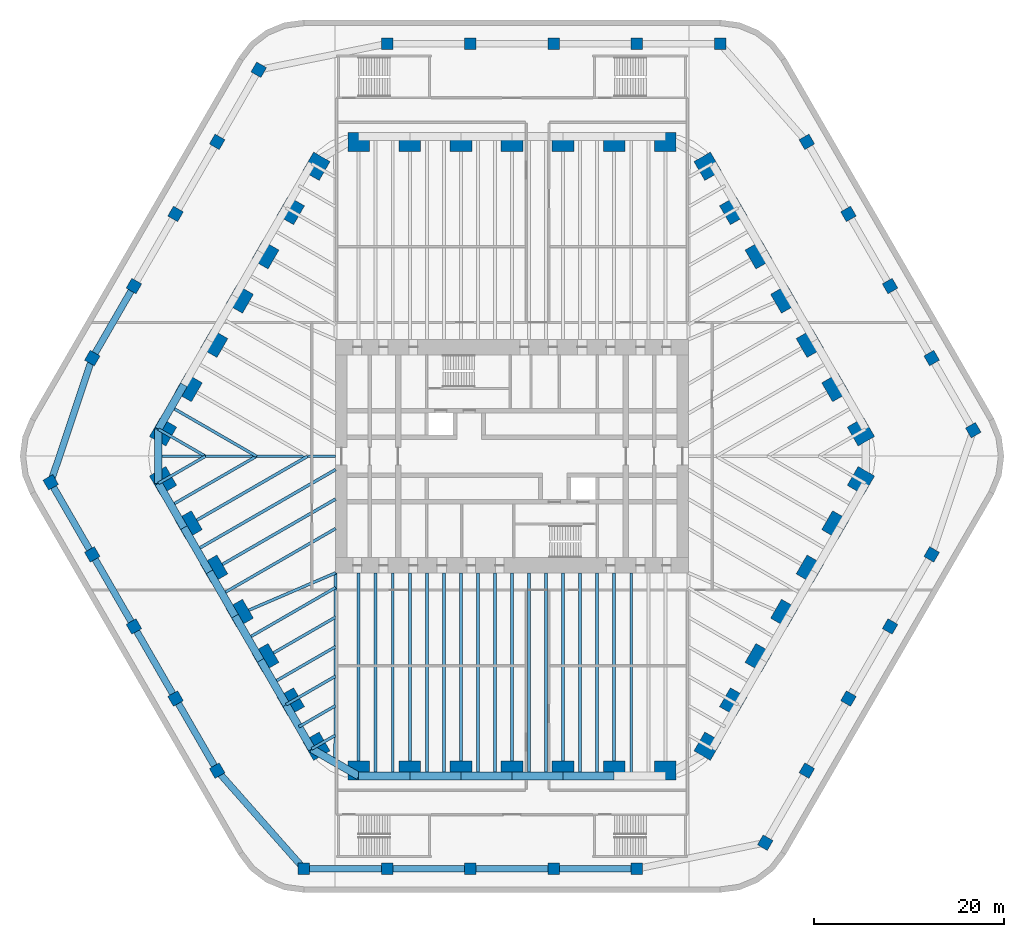
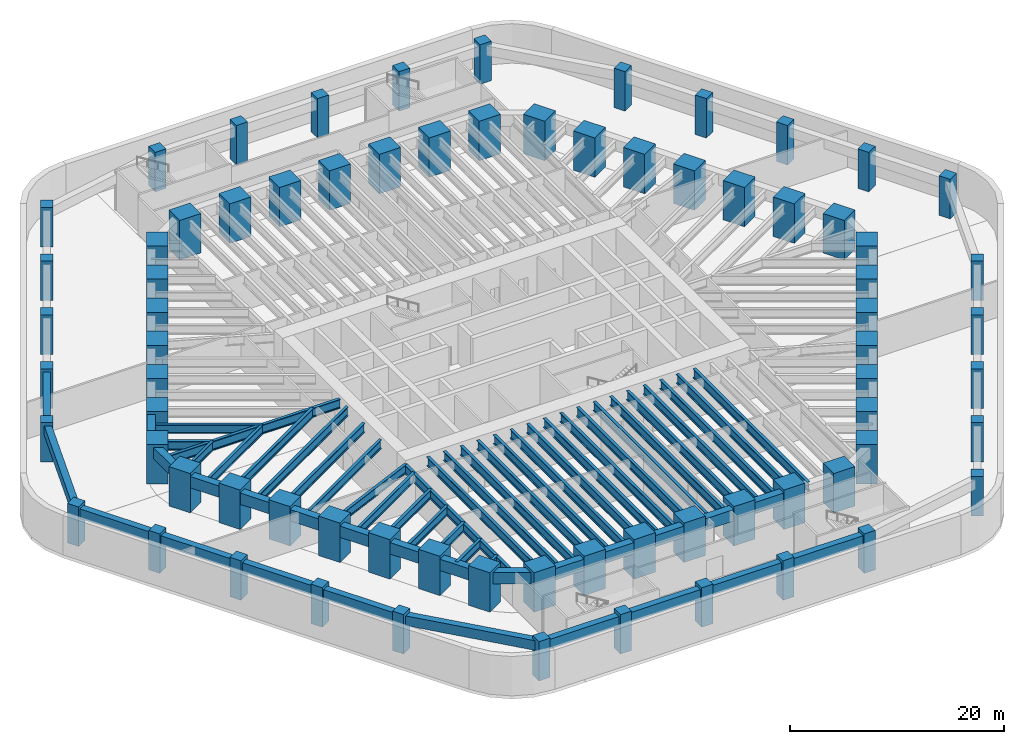
# One storey, part 1 of 12: 72 columns, 59 beams.
"""IFC4 building model written with IfcOpenShell, lengths in metres."""

from ifc_helpers import new_model, si_unit, direction, frame, origin, origin_2d, place, context, subcontext, project, spatial, rectangle, i_section, extrude, material, material_profile, profile_set, type_object, element, save


model = new_model("IFC4")

# Units and contexts
model_context = context("Model", 3, precision=1e-05, world=origin(), true_north=direction((0.0, 1.0)))
body_context = subcontext(model_context, "Body", "Model", "MODEL_VIEW")
ifc_project = project(units=[si_unit("LENGTHUNIT", "METRE"), si_unit("AREAUNIT", "SQUARE_METRE"), si_unit("VOLUMEUNIT", "CUBIC_METRE"), si_unit("PLANEANGLEUNIT", "RADIAN"), si_unit("MASSUNIT", "GRAM", prefix="KILO")], contexts=[model_context])

# Site, building, storey
site_placement = place(None, origin())
site = spatial("IfcSite", under=ifc_project, at=site_placement, CompositionType="ELEMENT")
building_placement = place(site_placement, origin())
building = spatial("IfcBuilding", under=site, at=building_placement, Name="Tarfa Lantern Tower", CompositionType="ELEMENT")
storey_placement = place(building_placement, frame((0.0, 0.0, -4.5)))
storey = spatial("IfcBuildingStorey", under=building, at=storey_placement, Name="B1", CompositionType="ELEMENT", Elevation=-4.5)

# Columns
ifc_material_1 = material(Name="Concrete C80/95", Category="concrete")
ifc_material_profile_1 = material_profile(ifc_material_1, rectangle(XDim=1.199951171875, YDim=1.199951171875, at=origin_2d()), Name="RC 1200x1200")
ifc_profile_set_1 = profile_set([ifc_material_profile_1], Name="Concrete C80/95")
column_type_1 = type_object("IfcColumnType", Name="PC1 RC 1200x1200", PredefinedType="COLUMN", material=ifc_profile_set_1)
for number, where, z_axis, x_axis, name in (
    (1, (48.641845703125, 2.75, 0.0), (0.0, 0.0, 1.0), (-0.5, 0.866025403784, 0.0), "Podium column NE0"),
    (2, (44.25390625, 10.35009765625, 0.0), (0.0, 0.0, 1.0), (-0.5, 0.866025403784, 0.0), "Podium column NE1"),
    (3, (39.865966796875, 17.949951171875, 0.0), (0.0, 0.0, 1.0), (-0.5, 0.866025403784, 0.0), "Podium column NE2"),
    (4, (35.478271484375, 25.550048828125, 0.0), (0.0, 0.0, 1.0), (-0.5, 0.866025403784, 0.0), "Podium column NE3"),
    (5, (31.09033203125, 33.14990234375, 0.0), (0.0, 0.0, 1.0), (-0.5, 0.866025403784, 0.0), "Podium column NE4"),
    (6, (21.939208984375, 43.5, 0.0), (0.0, 0.0, 1.0), (-1.0, 0.0, 0.0), "Podium column N0"),
    (7, (13.16357421875, 43.5, 0.0), (0.0, 0.0, 1.0), (-1.0, 0.0, 0.0), "Podium column N1"),
    (8, (4.387939453125, 43.5, 0.0), (0.0, 0.0, 1.0), (-1.0, 0.0, 0.0), "Podium column N2"),
    (9, (-4.387939453125, 43.5, 0.0), (0.0, 0.0, 1.0), (-1.0, 0.0, 0.0), "Podium column N3"),
    (10, (-13.16357421875, 43.5, 0.0), (0.0, 0.0, 1.0), (-1.0, 0.0, 0.0), "Podium column N4"),
    (11, (-26.702392578125, 40.75, 0.0), (0.0, 0.0, 1.0), (-0.5, -0.866025403784, 0.0), "Podium column NW0"),
    (12, (-31.09033203125, 33.14990234375, 0.0), (0.0, 0.0, 1.0), (-0.5, -0.866025403784, 0.0), "Podium column NW1"),
    (13, (-35.478271484375, 25.550048828125, 0.0), (0.0, 0.0, 1.0), (-0.5, -0.866025403784, 0.0), "Podium column NW2"),
    (14, (-39.865966796875, 17.949951171875, 0.0), (0.0, 0.0, 1.0), (-0.5, -0.866025403784, 0.0), "Podium column NW3"),
    (15, (-44.25390625, 10.35009765625, 0.0), (0.0, 0.0, 1.0), (-0.5, -0.866025403784, 0.0), "Podium column NW4"),
    (16, (-48.641845703125, -2.75, 0.0), (0.0, 0.0, 1.0), (0.5, -0.866025403784, 0.0), "Podium column SW0"),
    (17, (-44.25390625, -10.35009765625, 0.0), (0.0, 0.0, 1.0), (0.5, -0.866025403784, 0.0), "Podium column SW1"),
    (18, (-39.865966796875, -17.949951171875, 0.0), (0.0, 0.0, 1.0), (0.5, -0.866025403784, 0.0), "Podium column SW2"),
    (19, (-35.478271484375, -25.550048828125, 0.0), (0.0, 0.0, 1.0), (0.5, -0.866025403784, 0.0), "Podium column SW3"),
    (20, (-31.09033203125, -33.14990234375, 0.0), (0.0, 0.0, 1.0), (0.5, -0.866025403784, 0.0), "Podium column SW4"),
    (21, (-21.939208984375, -43.5, 0.0), (0.0, 0.0, 1.0), (1.0, 0.0, 0.0), "Podium column S0"),
    (22, (-13.16357421875, -43.5, 0.0), (0.0, 0.0, 1.0), (1.0, 0.0, 0.0), "Podium column S1"),
    (23, (-4.387939453125, -43.5, 0.0), (0.0, 0.0, 1.0), (1.0, 0.0, 0.0), "Podium column S2"),
    (24, (4.387939453125, -43.5, 0.0), (0.0, 0.0, 1.0), (1.0, 0.0, 0.0), "Podium column S3"),
    (25, (13.16357421875, -43.5, 0.0), (0.0, 0.0, 1.0), (1.0, 0.0, 0.0), "Podium column S4"),
    (26, (26.702392578125, -40.75, 0.0), (0.0, 0.0, 1.0), (0.5, 0.866025403784, 0.0), "Podium column SE0"),
    (27, (31.09033203125, -33.14990234375, 0.0), (0.0, 0.0, 1.0), (0.5, 0.866025403784, 0.0), "Podium column SE1"),
    (28, (35.478271484375, -25.550048828125, 0.0), (0.0, 0.0, 1.0), (0.5, 0.866025403784, 0.0), "Podium column SE2"),
    (29, (39.865966796875, -17.949951171875, 0.0), (0.0, 0.0, 1.0), (0.5, 0.866025403784, 0.0), "Podium column SE3"),
    (30, (44.25390625, -10.35009765625, 0.0), (0.0, 0.0, 1.0), (0.5, 0.866025403784, 0.0), "Podium column SE4"),
):
    element("IfcColumn", number, at=place(storey_placement, frame(where, z_axis=z_axis, x_axis=x_axis)), inside=storey, type_object=column_type_1, Name=name, PredefinedType="COLUMN", context=body_context, shape_type="SweptSolid", body=[
        extrude(rectangle(XDim=1.199951171875, YDim=1.199951171875, at=origin_2d()), origin(), (0.0, 0.0, 1.0), 4.5),
    ])
ifc_material_profile_2 = material_profile(ifc_material_1, rectangle(XDim=2.300048828125, YDim=2.0, at=origin_2d()), Name="RC 2300x2000")
ifc_profile_set_2 = profile_set([ifc_material_profile_2], Name="Concrete C80/95")
column_type_2 = type_object("IfcColumnType", Name="TC1 RC 2300x2000", PredefinedType="COLUMN", material=ifc_profile_set_2)
for number, where, z_axis, x_axis, name in (
    (31, (36.791748046875, 2.574951171875, 0.0), (0.0, 0.0, 1.0), (-0.5, 0.866025403784, 0.0), "Tube column NE0"),
    (32, (34.097412109375, 7.24169921875, 0.0), (0.0, 0.0, 1.0), (-0.5, 0.866025403784, 0.0), "Tube column NE1"),
    (33, (31.403076171875, 11.908447265625, 0.0), (0.0, 0.0, 1.0), (-0.5, 0.866025403784, 0.0), "Tube column NE2"),
    (34, (28.708740234375, 16.574951171875, 0.0), (0.0, 0.0, 1.0), (-0.5, 0.866025403784, 0.0), "Tube column NE3"),
    (35, (26.014404296875, 21.24169921875, 0.0), (0.0, 0.0, 1.0), (-0.5, 0.866025403784, 0.0), "Tube column NE4"),
    (36, (23.320068359375, 25.908447265625, 0.0), (0.0, 0.0, 1.0), (-0.5, 0.866025403784, 0.0), "Tube column NE5"),
    (37, (20.625732421875, 30.574951171875, 0.0), (0.0, 0.0, 1.0), (-0.5, 0.866025403784, 0.0), "Tube column NE6"),
    (38, (16.165771484375, 33.14990234375, 0.0), (0.0, 0.0, 1.0), (-1.0, 0.0, 0.0), "Tube column N0"),
    (39, (10.777099609375, 33.14990234375, 0.0), (0.0, 0.0, 1.0), (-1.0, 0.0, 0.0), "Tube column N1"),
    (40, (5.388671875, 33.14990234375, 0.0), (0.0, 0.0, 1.0), (-1.0, 0.0, 0.0), "Tube column N2"),
    (41, (0.0, 33.14990234375, 0.0), (0.0, 0.0, 1.0), (-1.0, 0.0, 0.0), "Tube column N3"),
    (42, (-5.388671875, 33.14990234375, 0.0), (0.0, 0.0, 1.0), (-1.0, 0.0, 0.0), "Tube column N4"),
    (43, (-10.777099609375, 33.14990234375, 0.0), (0.0, 0.0, 1.0), (-1.0, 0.0, 0.0), "Tube column N5"),
    (44, (-16.165771484375, 33.14990234375, 0.0), (0.0, 0.0, 1.0), (-1.0, 0.0, 0.0), "Tube column N6"),
    (45, (-20.625732421875, 30.574951171875, 0.0), (0.0, 0.0, 1.0), (-0.5, -0.866025403784, 0.0), "Tube column NW0"),
    (46, (-23.320068359375, 25.908447265625, 0.0), (0.0, 0.0, 1.0), (-0.5, -0.866025403784, 0.0), "Tube column NW1"),
    (47, (-26.014404296875, 21.24169921875, 0.0), (0.0, 0.0, 1.0), (-0.5, -0.866025403784, 0.0), "Tube column NW2"),
    (48, (-28.708740234375, 16.574951171875, 0.0), (0.0, 0.0, 1.0), (-0.5, -0.866025403784, 0.0), "Tube column NW3"),
    (49, (-31.403076171875, 11.908447265625, 0.0), (0.0, 0.0, 1.0), (-0.5, -0.866025403784, 0.0), "Tube column NW4"),
    (50, (-34.097412109375, 7.24169921875, 0.0), (0.0, 0.0, 1.0), (-0.5, -0.866025403784, 0.0), "Tube column NW5"),
    (51, (-36.791748046875, 2.574951171875, 0.0), (0.0, 0.0, 1.0), (-0.5, -0.866025403784, 0.0), "Tube column NW6"),
    (52, (-36.791748046875, -2.574951171875, 0.0), (0.0, 0.0, 1.0), (0.5, -0.866025403784, 0.0), "Tube column SW0"),
    (53, (-34.097412109375, -7.24169921875, 0.0), (0.0, 0.0, 1.0), (0.5, -0.866025403784, 0.0), "Tube column SW1"),
    (54, (-31.403076171875, -11.908447265625, 0.0), (0.0, 0.0, 1.0), (0.5, -0.866025403784, 0.0), "Tube column SW2"),
    (55, (-28.708740234375, -16.574951171875, 0.0), (0.0, 0.0, 1.0), (0.5, -0.866025403784, 0.0), "Tube column SW3"),
    (56, (-26.014404296875, -21.24169921875, 0.0), (0.0, 0.0, 1.0), (0.5, -0.866025403784, 0.0), "Tube column SW4"),
    (57, (-23.320068359375, -25.908447265625, 0.0), (0.0, 0.0, 1.0), (0.5, -0.866025403784, 0.0), "Tube column SW5"),
    (58, (-20.625732421875, -30.574951171875, 0.0), (0.0, 0.0, 1.0), (0.5, -0.866025403784, 0.0), "Tube column SW6"),
    (59, (-16.165771484375, -33.14990234375, 0.0), (0.0, 0.0, 1.0), (1.0, 0.0, 0.0), "Tube column S0"),
    (60, (-10.777099609375, -33.14990234375, 0.0), (0.0, 0.0, 1.0), (1.0, 0.0, 0.0), "Tube column S1"),
    (61, (-5.388671875, -33.14990234375, 0.0), (0.0, 0.0, 1.0), (1.0, 0.0, 0.0), "Tube column S2"),
    (62, (0.0, -33.14990234375, 0.0), (0.0, 0.0, 1.0), (1.0, 0.0, 0.0), "Tube column S3"),
    (63, (5.388671875, -33.14990234375, 0.0), (0.0, 0.0, 1.0), (1.0, 0.0, 0.0), "Tube column S4"),
    (64, (10.777099609375, -33.14990234375, 0.0), (0.0, 0.0, 1.0), (1.0, 0.0, 0.0), "Tube column S5"),
    (65, (16.165771484375, -33.14990234375, 0.0), (0.0, 0.0, 1.0), (1.0, 0.0, 0.0), "Tube column S6"),
    (66, (20.625732421875, -30.574951171875, 0.0), (0.0, 0.0, 1.0), (0.5, 0.866025403784, 0.0), "Tube column SE0"),
    (67, (23.320068359375, -25.908447265625, 0.0), (0.0, 0.0, 1.0), (0.5, 0.866025403784, 0.0), "Tube column SE1"),
    (68, (26.014404296875, -21.24169921875, 0.0), (0.0, 0.0, 1.0), (0.5, 0.866025403784, 0.0), "Tube column SE2"),
    (69, (28.708740234375, -16.574951171875, 0.0), (0.0, 0.0, 1.0), (0.5, 0.866025403784, 0.0), "Tube column SE3"),
    (70, (31.403076171875, -11.908447265625, 0.0), (0.0, 0.0, 1.0), (0.5, 0.866025403784, 0.0), "Tube column SE4"),
    (71, (34.097412109375, -7.24169921875, 0.0), (0.0, 0.0, 1.0), (0.5, 0.866025403784, 0.0), "Tube column SE5"),
    (72, (36.791748046875, -2.574951171875, 0.0), (0.0, 0.0, 1.0), (0.5, 0.866025403784, 0.0), "Tube column SE6"),
):
    element("IfcColumn", number, at=place(storey_placement, frame(where, z_axis=z_axis, x_axis=x_axis)), inside=storey, type_object=column_type_2, Name=name, PredefinedType="COLUMN", context=body_context, shape_type="SweptSolid", body=[
        extrude(rectangle(XDim=2.300048828125, YDim=2.0, at=origin_2d()), origin(), (0.0, 0.0, 1.0), 4.5),
    ])

# Beams
ifc_material_profile_3 = material_profile(ifc_material_1, rectangle(XDim=0.800048828125, YDim=1.300048828125, at=origin_2d()), Name="RC 800x1300")
ifc_profile_set_3 = profile_set([ifc_material_profile_3], Name="Concrete C80/95")
beam_type_1 = type_object("IfcBeamType", Name="EB1 RC 800x1300", PredefinedType="SPANDREL", material=ifc_profile_set_3)
beam_1_placement = place(storey_placement, frame((-34.591064453125, 7.526611328125, 3.5), z_axis=(-0.500017906299, -0.866015065331, 0.0), x_axis=(0.866015065331, -0.500017906299, 0.0)))
element("IfcBeam", 73, at=beam_1_placement, inside=storey, type_object=beam_type_1, Name="Edge beam NW5", PredefinedType="SPANDREL", context=body_context, shape_type="SweptSolid", body=[
    extrude(rectangle(XDim=0.800048828125, YDim=1.300048828125, at=origin_2d()), origin(), (0.0, 0.0, 1.0), 5.388427734375),
])
beam_2_placement = place(storey_placement, frame((-37.285400390625, 2.860107421875, 3.5), z_axis=(0.0, -1.0, 0.0), x_axis=(1.0, 0.0, 0.0)))
element("IfcBeam", 74, at=beam_2_placement, inside=storey, type_object=beam_type_1, Name="Edge beam NW6", PredefinedType="SPANDREL", context=body_context, shape_type="SweptSolid", body=[
    extrude(rectangle(XDim=0.800048828125, YDim=1.300048828125, at=origin_2d()), origin(), (0.0, 0.0, 1.0), 5.72021484375),
])
beam_3_placement = place(storey_placement, frame((-37.285400390625, -2.860107421875, 3.5), z_axis=(0.500017906299, -0.866015065331, 0.0), x_axis=(0.866015065331, 0.500017906299, 0.0)))
element("IfcBeam", 75, at=beam_3_placement, inside=storey, type_object=beam_type_1, Name="Edge beam SW0", PredefinedType="SPANDREL", context=body_context, shape_type="SweptSolid", body=[
    extrude(rectangle(XDim=0.800048828125, YDim=1.300048828125, at=origin_2d()), origin(), (0.0, 0.0, 1.0), 5.388427734375),
])
for number, where, z_axis, x_axis, name in (
    (76, (-34.591064453125, -7.526611328125, 3.5), (0.499998287579, -0.866026392449, 0.0), (0.866026392449, 0.499998287579, 0.0), "Edge beam SW1"),
    (77, (-31.896728515625, -12.193359375, 3.5), (0.499998287579, -0.866026392449, 0.0), (0.866026392449, 0.499998287579, 0.0), "Edge beam SW2"),
):
    element("IfcBeam", number, at=place(storey_placement, frame(where, z_axis=z_axis, x_axis=x_axis)), inside=storey, type_object=beam_type_1, Name=name, PredefinedType="SPANDREL", context=body_context, shape_type="SweptSolid", body=[
        extrude(rectangle(XDim=0.800048828125, YDim=1.300048828125, at=origin_2d()), origin(), (0.0, 0.0, 1.0), 5.388671875),
    ])
beam_4_placement = place(storey_placement, frame((-29.202392578125, -16.860107421875, 3.5), z_axis=(0.500017906299, -0.866015065331, 0.0), x_axis=(0.866015065331, 0.500017906299, 0.0)))
element("IfcBeam", 78, at=beam_4_placement, inside=storey, type_object=beam_type_1, Name="Edge beam SW3", PredefinedType="SPANDREL", context=body_context, shape_type="SweptSolid", body=[
    extrude(rectangle(XDim=0.800048828125, YDim=1.300048828125, at=origin_2d()), origin(), (0.0, 0.0, 1.0), 5.388427734375),
])
for number, where, z_axis, x_axis, name in (
    (79, (-26.508056640625, -21.526611328125, 3.5), (0.499998287579, -0.866026392449, 0.0), (0.866026392449, 0.499998287579, 0.0), "Edge beam SW4"),
    (80, (-23.813720703125, -26.193359375, 3.5), (0.499998287579, -0.866026392449, 0.0), (0.866026392449, 0.499998287579, 0.0), "Edge beam SW5"),
):
    element("IfcBeam", number, at=place(storey_placement, frame(where, z_axis=z_axis, x_axis=x_axis)), inside=storey, type_object=beam_type_1, Name=name, PredefinedType="SPANDREL", context=body_context, shape_type="SweptSolid", body=[
        extrude(rectangle(XDim=0.800048828125, YDim=1.300048828125, at=origin_2d()), origin(), (0.0, 0.0, 1.0), 5.388671875),
    ])
beam_5_placement = place(storey_placement, frame((-21.119384765625, -30.860107421875, 3.5), z_axis=(0.866033479681, -0.499986011877, 0.0), x_axis=(0.499986011877, 0.866033479681, 0.0)))
element("IfcBeam", 81, at=beam_5_placement, inside=storey, type_object=beam_type_1, Name="Edge beam SW6", PredefinedType="SPANDREL", context=body_context, shape_type="SweptSolid", body=[
    extrude(rectangle(XDim=0.800048828125, YDim=1.300048828125, at=origin_2d()), origin(), (0.0, 0.0, 1.0), 5.719970703125),
])
beam_6_placement = place(storey_placement, frame((-16.165771484375, -33.719970703125, 3.5), z_axis=(1.0, 0.0, 0.0), x_axis=(0.0, 1.0, 0.0)))
element("IfcBeam", 82, at=beam_6_placement, inside=storey, type_object=beam_type_1, Name="Edge beam S0", PredefinedType="SPANDREL", context=body_context, shape_type="SweptSolid", body=[
    extrude(rectangle(XDim=0.800048828125, YDim=1.300048828125, at=origin_2d()), origin(), (0.0, 0.0, 1.0), 5.388671875),
])
beam_7_placement = place(storey_placement, frame((-10.777099609375, -33.719970703125, 3.5), z_axis=(1.0, 0.0, 0.0), x_axis=(0.0, 1.0, 0.0)))
element("IfcBeam", 83, at=beam_7_placement, inside=storey, type_object=beam_type_1, Name="Edge beam S1", PredefinedType="SPANDREL", context=body_context, shape_type="SweptSolid", body=[
    extrude(rectangle(XDim=0.800048828125, YDim=1.300048828125, at=origin_2d()), origin(), (0.0, 0.0, 1.0), 5.388427734375),
])
for number, where, z_axis, x_axis, name in (
    (84, (-5.388671875, -33.719970703125, 3.5), (1.0, 0.0, 0.0), (0.0, 1.0, 0.0), "Edge beam S2"),
    (85, (0.0, -33.719970703125, 3.5), (1.0, 0.0, 0.0), (0.0, 1.0, 0.0), "Edge beam S3"),
):
    element("IfcBeam", number, at=place(storey_placement, frame(where, z_axis=z_axis, x_axis=x_axis)), inside=storey, type_object=beam_type_1, Name=name, PredefinedType="SPANDREL", context=body_context, shape_type="SweptSolid", body=[
        extrude(rectangle(XDim=0.800048828125, YDim=1.300048828125, at=origin_2d()), origin(), (0.0, 0.0, 1.0), 5.388671875),
    ])
beam_8_placement = place(storey_placement, frame((5.388671875, -33.719970703125, 3.5), z_axis=(1.0, 0.0, 0.0), x_axis=(0.0, 1.0, 0.0)))
element("IfcBeam", 86, at=beam_8_placement, inside=storey, type_object=beam_type_1, Name="Edge beam S4", PredefinedType="SPANDREL", context=body_context, shape_type="SweptSolid", body=[
    extrude(rectangle(XDim=0.800048828125, YDim=1.300048828125, at=origin_2d()), origin(), (0.0, 0.0, 1.0), 5.388427734375),
])
ifc_material_profile_4 = material_profile(ifc_material_1, rectangle(XDim=0.699951171875, YDim=1.10009765625, at=origin_2d()), Name="RC 700x1100")
ifc_profile_set_4 = profile_set([ifc_material_profile_4], Name="Concrete C80/95")
beam_type_2 = type_object("IfcBeamType", Name="PB1 RC 700x1100", PredefinedType="BEAM", material=ifc_profile_set_4)
beam_9_placement = place(storey_placement, frame((-39.865966796875, 17.949951171875, 3.60009765625), z_axis=(-0.500013843384, -0.866017411155, 0.0), x_axis=(0.866017411155, -0.500013843384, 0.0)))
element("IfcBeam", 87, at=beam_9_placement, inside=storey, type_object=beam_type_2, Name="Podium ring beam NW3", PredefinedType="BEAM", context=body_context, shape_type="SweptSolid", body=[
    extrude(rectangle(XDim=0.699951171875, YDim=1.10009765625, at=origin_2d()), origin(), (0.0, 0.0, 1.0), 8.775634765625),
])
beam_10_placement = place(storey_placement, frame((-44.25390625, 10.35009765625, 3.60009765625), z_axis=(-0.317611113529, -0.948221061021, 0.0), x_axis=(0.948221061021, -0.317611113529, 0.0)))
element("IfcBeam", 88, at=beam_10_placement, inside=storey, type_object=beam_type_2, Name="Podium ring beam NW4", PredefinedType="BEAM", context=body_context, shape_type="SweptSolid", body=[
    extrude(rectangle(XDim=0.699951171875, YDim=1.10009765625, at=origin_2d()), origin(), (0.0, 0.0, 1.0), 13.8154296875),
])
beam_11_placement = place(storey_placement, frame((-48.641845703125, -2.75, 3.60009765625), z_axis=(0.50000179687, -0.866024366359, 0.0), x_axis=(0.866024366359, 0.50000179687, 0.0)))
element("IfcBeam", 89, at=beam_11_placement, inside=storey, type_object=beam_type_2, Name="Podium ring beam SW0", PredefinedType="BEAM", context=body_context, shape_type="SweptSolid", body=[
    extrude(rectangle(XDim=0.699951171875, YDim=1.10009765625, at=origin_2d()), origin(), (0.0, 0.0, 1.0), 8.77587890625),
])
for number, where, z_axis, x_axis, name in (
    (90, (-44.25390625, -10.35009765625, 3.60009765625), (0.500013843384, -0.866017411155, 0.0), (0.866017411155, 0.500013843384, 0.0), "Podium ring beam SW1"),
    (91, (-39.865966796875, -17.949951171875, 3.60009765625), (0.499980931779, -0.866036412547, 0.0), (0.866036412547, 0.499980931779, 0.0), "Podium ring beam SW2"),
    (92, (-35.478271484375, -25.550048828125, 3.60009765625), (0.500013843384, -0.866017411155, 0.0), (0.866017411155, 0.500013843384, 0.0), "Podium ring beam SW3"),
):
    element("IfcBeam", number, at=place(storey_placement, frame(where, z_axis=z_axis, x_axis=x_axis)), inside=storey, type_object=beam_type_2, Name=name, PredefinedType="BEAM", context=body_context, shape_type="SweptSolid", body=[
        extrude(rectangle(XDim=0.699951171875, YDim=1.10009765625, at=origin_2d()), origin(), (0.0, 0.0, 1.0), 8.775634765625),
    ])
beam_12_placement = place(storey_placement, frame((-31.09033203125, -33.14990234375, 3.60009765625), z_axis=(0.662381688084, -0.74916653642, 0.0), x_axis=(0.74916653642, 0.662381688084, 0.0)))
element("IfcBeam", 93, at=beam_12_placement, inside=storey, type_object=beam_type_2, Name="Podium ring beam SW4", PredefinedType="BEAM", context=body_context, shape_type="SweptSolid", body=[
    extrude(rectangle(XDim=0.699951171875, YDim=1.10009765625, at=origin_2d()), origin(), (0.0, 0.0, 1.0), 13.8154296875),
])
for number, where, z_axis, x_axis, name in (
    (94, (-21.939208984375, -43.5, 3.60009765625), (1.0, 0.0, 0.0), (0.0, 1.0, 0.0), "Podium ring beam S0"),
    (95, (-13.16357421875, -43.5, 3.60009765625), (1.0, 0.0, 0.0), (0.0, 1.0, 0.0), "Podium ring beam S1"),
):
    element("IfcBeam", number, at=place(storey_placement, frame(where, z_axis=z_axis, x_axis=x_axis)), inside=storey, type_object=beam_type_2, Name=name, PredefinedType="BEAM", context=body_context, shape_type="SweptSolid", body=[
        extrude(rectangle(XDim=0.699951171875, YDim=1.10009765625, at=origin_2d()), origin(), (0.0, 0.0, 1.0), 8.775634765625),
    ])
beam_13_placement = place(storey_placement, frame((-4.387939453125, -43.5, 3.60009765625), z_axis=(1.0, 0.0, 0.0), x_axis=(0.0, 1.0, 0.0)))
element("IfcBeam", 96, at=beam_13_placement, inside=storey, type_object=beam_type_2, Name="Podium ring beam S2", PredefinedType="BEAM", context=body_context, shape_type="SweptSolid", body=[
    extrude(rectangle(XDim=0.699951171875, YDim=1.10009765625, at=origin_2d()), origin(), (0.0, 0.0, 1.0), 8.77587890625),
])
beam_14_placement = place(storey_placement, frame((4.387939453125, -43.5, 3.60009765625), z_axis=(1.0, 0.0, 0.0), x_axis=(0.0, 1.0, 0.0)))
element("IfcBeam", 97, at=beam_14_placement, inside=storey, type_object=beam_type_2, Name="Podium ring beam S3", PredefinedType="BEAM", context=body_context, shape_type="SweptSolid", body=[
    extrude(rectangle(XDim=0.699951171875, YDim=1.10009765625, at=origin_2d()), origin(), (0.0, 0.0, 1.0), 8.775634765625),
])
ifc_material_2 = material(Name="Steel S460M", Category="steel")
ifc_material_profile_5 = material_profile(ifc_material_2, i_section(OverallWidth=0.302001953125, OverallDepth=1.008056640625, WebThickness=0.02099609375, FlangeThickness=0.0400390625, FilletRadius=0.030029296875, at=origin_2d()), Name="UB1016x305x349")
ifc_profile_set_5 = profile_set([ifc_material_profile_5], Name="Steel S460M")
beam_type_3 = type_object("IfcBeamType", Name="UB1016x305x349", PredefinedType="BEAM", material=ifc_profile_set_5)
for number, where, z_axis, x_axis, name in (
    (98, (-37.285400390625, 2.860107421875, 3.64599609375), (0.866025668288, -0.499999541866, 0.0), (0.499999541866, 0.866025668288, 0.0), "Floor beam NW6"),
    (99, (-37.285400390625, -2.860107421875, 3.64599609375), (0.866025668288, 0.499999541866, 0.0), (-0.499999541866, 0.866025668288, 0.0), "Floor beam SW0"),
):
    element("IfcBeam", number, at=place(storey_placement, frame(where, z_axis=z_axis, x_axis=x_axis)), inside=storey, type_object=beam_type_3, Name=name, PredefinedType="BEAM", context=body_context, shape_type="SweptSolid", body=[
        extrude(i_section(OverallWidth=0.302001953125, OverallDepth=1.008056640625, WebThickness=0.02099609375, FlangeThickness=0.0400390625, FilletRadius=0.030029296875, at=origin_2d()), origin(), (0.0, 0.0, 1.0), 5.72021484375),
    ])
beam_15_placement = place(storey_placement, frame((-29.202392578125, -16.860107421875, 3.64599609375), z_axis=(0.918635483867, 0.395106122175, 0.0), x_axis=(-0.395106122175, 0.918635483867, 0.0)))
element("IfcBeam", 100, at=beam_15_placement, inside=storey, type_object=beam_type_3, Name="Floor beam SW3", PredefinedType="BEAM", context=body_context, shape_type="SweptSolid", body=[
    extrude(i_section(OverallWidth=0.302001953125, OverallDepth=1.008056640625, WebThickness=0.02099609375, FlangeThickness=0.0400390625, FilletRadius=0.030029296875, at=origin_2d()), origin(), (0.0, 0.0, 1.0), 11.541259765625),
])
beam_16_placement = place(storey_placement, frame((-26.508056640625, -21.526611328125, 3.64599609375), z_axis=(0.866035355799, 0.49998276221, 0.0), x_axis=(-0.49998276221, 0.866035355799, 0.0)))
element("IfcBeam", 101, at=beam_16_placement, inside=storey, type_object=beam_type_3, Name="Floor beam SW4", PredefinedType="BEAM", context=body_context, shape_type="SweptSolid", body=[
    extrude(i_section(OverallWidth=0.302001953125, OverallDepth=1.008056640625, WebThickness=0.02099609375, FlangeThickness=0.0400390625, FilletRadius=0.030029296875, at=origin_2d()), origin(), (0.0, 0.0, 1.0), 9.119873046875),
])
beam_17_placement = place(storey_placement, frame((-23.813720703125, -26.193359375, 3.64599609375), z_axis=(0.866015997389, 0.500016292001, 0.0), x_axis=(-0.500016292001, 0.866015997389, 0.0)))
element("IfcBeam", 102, at=beam_17_placement, inside=storey, type_object=beam_type_3, Name="Floor beam SW5", PredefinedType="BEAM", context=body_context, shape_type="SweptSolid", body=[
    extrude(i_section(OverallWidth=0.302001953125, OverallDepth=1.008056640625, WebThickness=0.02099609375, FlangeThickness=0.0400390625, FilletRadius=0.030029296875, at=origin_2d()), origin(), (0.0, 0.0, 1.0), 5.993408203125),
])
beam_18_placement = place(storey_placement, frame((-21.119384765625, -30.860107421875, 3.64599609375), z_axis=(0.866012580594, 0.500022209759, 0.0), x_axis=(-0.500022209759, 0.866012580594, 0.0)))
element("IfcBeam", 103, at=beam_18_placement, inside=storey, type_object=beam_type_3, Name="Floor beam SW6", PredefinedType="BEAM", context=body_context, shape_type="SweptSolid", body=[
    extrude(i_section(OverallWidth=0.302001953125, OverallDepth=1.008056640625, WebThickness=0.02099609375, FlangeThickness=0.0400390625, FilletRadius=0.030029296875, at=origin_2d()), origin(), (0.0, 0.0, 1.0), 2.866943359375),
])
for number, where, z_axis, x_axis, name in (
    (104, (-35.938232421875, 5.193359375, 3.64599609375), (0.866024317969, -0.500001880682, 0.0), (0.500001880682, 0.866024317969, 0.0), "Floor beam NW5M"),
    (105, (-35.938232421875, -5.193359375, 3.64599609375), (0.866024317969, 0.500001880682, 0.0), (-0.500001880682, 0.866024317969, 0.0), "Floor beam SW0M"),
):
    element("IfcBeam", number, at=place(storey_placement, frame(where, z_axis=z_axis, x_axis=x_axis)), inside=storey, type_object=beam_type_3, Name=name, PredefinedType="BEAM", context=body_context, shape_type="SweptSolid", body=[
        extrude(i_section(OverallWidth=0.302001953125, OverallDepth=1.008056640625, WebThickness=0.02099609375, FlangeThickness=0.0400390625, FilletRadius=0.030029296875, at=origin_2d()), origin(), (0.0, 0.0, 1.0), 10.38671875),
    ])
beam_19_placement = place(storey_placement, frame((-30.549560546875, -14.526611328125, 3.64599609375), z_axis=(0.866028536827, 0.499994573371, 0.0), x_axis=(-0.499994573371, 0.866028536827, 0.0)))
element("IfcBeam", 106, at=beam_19_placement, inside=storey, type_object=beam_type_3, Name="Floor beam SW2M", PredefinedType="BEAM", context=body_context, shape_type="SweptSolid", body=[
    extrude(i_section(OverallWidth=0.302001953125, OverallDepth=1.008056640625, WebThickness=0.02099609375, FlangeThickness=0.0400390625, FilletRadius=0.030029296875, at=origin_2d()), origin(), (0.0, 0.0, 1.0), 13.798095703125),
])
beam_20_placement = place(storey_placement, frame((-27.855224609375, -19.193359375, 3.64599609375), z_axis=(0.866028034017, 0.499995444275, 0.0), x_axis=(-0.499995444275, 0.866028034017, 0.0)))
element("IfcBeam", 107, at=beam_20_placement, inside=storey, type_object=beam_type_3, Name="Floor beam SW3M", PredefinedType="BEAM", context=body_context, shape_type="SweptSolid", body=[
    extrude(i_section(OverallWidth=0.302001953125, OverallDepth=1.008056640625, WebThickness=0.02099609375, FlangeThickness=0.0400390625, FilletRadius=0.030029296875, at=origin_2d()), origin(), (0.0, 0.0, 1.0), 10.68310546875),
])
beam_21_placement = place(storey_placement, frame((-25.160888671875, -23.860107421875, 3.64599609375), z_axis=(0.866009650502, 0.500027284493, 0.0), x_axis=(-0.500027284493, 0.866009650502, 0.0)))
element("IfcBeam", 108, at=beam_21_placement, inside=storey, type_object=beam_type_3, Name="Floor beam SW4M", PredefinedType="BEAM", context=body_context, shape_type="SweptSolid", body=[
    extrude(i_section(OverallWidth=0.302001953125, OverallDepth=1.008056640625, WebThickness=0.02099609375, FlangeThickness=0.0400390625, FilletRadius=0.030029296875, at=origin_2d()), origin(), (0.0, 0.0, 1.0), 7.556640625),
])
beam_22_placement = place(storey_placement, frame((-22.466552734375, -28.526611328125, 3.64599609375), z_axis=(0.866026823135, 0.499997541604, 0.0), x_axis=(-0.499997541604, 0.866026823135, 0.0)))
element("IfcBeam", 109, at=beam_22_placement, inside=storey, type_object=beam_type_3, Name="Floor beam SW5M", PredefinedType="BEAM", context=body_context, shape_type="SweptSolid", body=[
    extrude(i_section(OverallWidth=0.302001953125, OverallDepth=1.008056640625, WebThickness=0.02099609375, FlangeThickness=0.0400390625, FilletRadius=0.030029296875, at=origin_2d()), origin(), (0.0, 0.0, 1.0), 4.43017578125),
])
ifc_material_profile_6 = material_profile(ifc_material_2, i_section(OverallWidth=0.314208984375, OverallDepth=1.055908203125, WebThickness=0.035888671875, FlangeThickness=0.06396484375, FilletRadius=0.030029296875, at=origin_2d()), Name="UB1016x305x584")
ifc_profile_set_6 = profile_set([ifc_material_profile_6], Name="Steel S460M")
beam_type_4 = type_object("IfcBeamType", Name="UB1016x305x584", PredefinedType="BEAM", material=ifc_profile_set_6)
beam_23_placement = place(storey_placement, frame((-18.60009765625, 0.0, 3.6220703125), z_axis=(-1.0, 0.0, 0.0), x_axis=(0.0, -1.0, 0.0)))
element("IfcBeam", 110, at=beam_23_placement, inside=storey, type_object=beam_type_4, Name="Hip girder W", PredefinedType="BEAM", context=body_context, shape_type="SweptSolid", body=[
    extrude(i_section(OverallWidth=0.314208984375, OverallDepth=1.055908203125, WebThickness=0.035888671875, FlangeThickness=0.06396484375, FilletRadius=0.030029296875, at=origin_2d()), origin(), (0.0, 0.0, 1.0), 18.685302734375),
])
beam_24_placement = place(storey_placement, frame((-18.60009765625, -12.300048828125, 3.6220703125), z_axis=(-0.00212508222, -0.99999774201, 0.0), x_axis=(0.99999774201, -0.00212508222, 0.0)))
element("IfcBeam", 111, at=beam_24_placement, inside=storey, type_object=beam_type_4, Name="Hip girder SW", PredefinedType="BEAM", context=body_context, shape_type="SweptSolid", body=[
    extrude(i_section(OverallWidth=0.314208984375, OverallDepth=1.055908203125, WebThickness=0.035888671875, FlangeThickness=0.06396484375, FilletRadius=0.030029296875, at=origin_2d()), origin(), (0.0, 0.0, 1.0), 19.989990234375),
])
beam_25_placement = place(storey_placement, frame((-34.591064453125, -7.526611328125, 3.6220703125), z_axis=(0.86602785945, 0.499995746638, 0.0), x_axis=(-0.499995746638, 0.86602785945, 0.0)))
element("IfcBeam", 112, at=beam_25_placement, inside=storey, type_object=beam_type_4, Name="Floor beam SW1", PredefinedType="BEAM", context=body_context, shape_type="SweptSolid", body=[
    extrude(i_section(OverallWidth=0.314208984375, OverallDepth=1.055908203125, WebThickness=0.035888671875, FlangeThickness=0.06396484375, FilletRadius=0.030029296875, at=origin_2d()), origin(), (0.0, 0.0, 1.0), 15.053466796875),
])
beam_26_placement = place(storey_placement, frame((-31.896728515625, -12.193359375, 3.6220703125), z_axis=(0.866026971665, 0.499997284341, 0.0), x_axis=(-0.499997284341, 0.866026971665, 0.0)))
element("IfcBeam", 113, at=beam_26_placement, inside=storey, type_object=beam_type_4, Name="Floor beam SW2", PredefinedType="BEAM", context=body_context, shape_type="SweptSolid", body=[
    extrude(i_section(OverallWidth=0.314208984375, OverallDepth=1.055908203125, WebThickness=0.035888671875, FlangeThickness=0.06396484375, FilletRadius=0.030029296875, at=origin_2d()), origin(), (0.0, 0.0, 1.0), 15.353515625),
])
for number, where, z_axis, x_axis, name in (
    (114, (-16.165771484375, -33.719970703125, 3.6220703125), (0.0, 1.0, 0.0), (-1.0, 0.0, 0.0), "Floor beam S0"),
    (115, (-10.777099609375, -33.719970703125, 3.6220703125), (0.0, 1.0, 0.0), (-1.0, 0.0, 0.0), "Floor beam S1"),
    (116, (-5.388671875, -33.719970703125, 3.6220703125), (0.0, 1.0, 0.0), (-1.0, 0.0, 0.0), "Floor beam S2"),
    (117, (0.0, -33.719970703125, 3.6220703125), (0.0, 1.0, 0.0), (-1.0, 0.0, 0.0), "Floor beam S3"),
    (118, (5.388671875, -33.719970703125, 3.6220703125), (0.0, 1.0, 0.0), (-1.0, 0.0, 0.0), "Floor beam S4"),
    (119, (10.777099609375, -33.719970703125, 3.6220703125), (0.0, 1.0, 0.0), (-1.0, 0.0, 0.0), "Floor beam S5"),
):
    element("IfcBeam", number, at=place(storey_placement, frame(where, z_axis=z_axis, x_axis=x_axis)), inside=storey, type_object=beam_type_4, Name=name, PredefinedType="BEAM", context=body_context, shape_type="SweptSolid", body=[
        extrude(i_section(OverallWidth=0.314208984375, OverallDepth=1.055908203125, WebThickness=0.035888671875, FlangeThickness=0.06396484375, FilletRadius=0.030029296875, at=origin_2d()), origin(), (0.0, 0.0, 1.0), 21.419921875),
    ])
beam_27_placement = place(storey_placement, frame((-33.243896484375, -9.860107421875, 3.6220703125), z_axis=(0.866019442478, 0.500010325144, 0.0), x_axis=(-0.500010325144, 0.866019442478, 0.0)))
element("IfcBeam", 120, at=beam_27_placement, inside=storey, type_object=beam_type_4, Name="Floor beam SW1M", PredefinedType="BEAM", context=body_context, shape_type="SweptSolid", body=[
    extrude(i_section(OverallWidth=0.314208984375, OverallDepth=1.055908203125, WebThickness=0.035888671875, FlangeThickness=0.06396484375, FilletRadius=0.030029296875, at=origin_2d()), origin(), (0.0, 0.0, 1.0), 16.909423828125),
])
for number, where, z_axis, x_axis, name in (
    (121, (-14.36962890625, -33.719970703125, 3.6220703125), (0.0, 1.0, 0.0), (-1.0, 0.0, 0.0), "Floor beam S0M1"),
    (122, (-12.573486328125, -33.719970703125, 3.6220703125), (0.0, 1.0, 0.0), (-1.0, 0.0, 0.0), "Floor beam S0M2"),
    (123, (-8.98095703125, -33.719970703125, 3.6220703125), (0.0, 1.0, 0.0), (-1.0, 0.0, 0.0), "Floor beam S1M1"),
    (124, (-7.184814453125, -33.719970703125, 3.6220703125), (0.0, 1.0, 0.0), (-1.0, 0.0, 0.0), "Floor beam S1M2"),
    (125, (-3.59228515625, -33.719970703125, 3.6220703125), (0.0, 1.0, 0.0), (-1.0, 0.0, 0.0), "Floor beam S2M1"),
    (126, (-1.796142578125, -33.719970703125, 3.6220703125), (0.0, 1.0, 0.0), (-1.0, 0.0, 0.0), "Floor beam S2M2"),
    (127, (1.796142578125, -33.719970703125, 3.6220703125), (0.0, 1.0, 0.0), (-1.0, 0.0, 0.0), "Floor beam S3M1"),
    (128, (3.59228515625, -33.719970703125, 3.6220703125), (0.0, 1.0, 0.0), (-1.0, 0.0, 0.0), "Floor beam S3M2"),
    (129, (7.184814453125, -33.719970703125, 3.6220703125), (0.0, 1.0, 0.0), (-1.0, 0.0, 0.0), "Floor beam S4M1"),
    (130, (8.98095703125, -33.719970703125, 3.6220703125), (0.0, 1.0, 0.0), (-1.0, 0.0, 0.0), "Floor beam S4M2"),
    (131, (12.573486328125, -33.719970703125, 3.6220703125), (0.0, 1.0, 0.0), (-1.0, 0.0, 0.0), "Floor beam S5M1"),
):
    element("IfcBeam", number, at=place(storey_placement, frame(where, z_axis=z_axis, x_axis=x_axis)), inside=storey, type_object=beam_type_4, Name=name, PredefinedType="BEAM", context=body_context, shape_type="SweptSolid", body=[
        extrude(i_section(OverallWidth=0.314208984375, OverallDepth=1.055908203125, WebThickness=0.035888671875, FlangeThickness=0.06396484375, FilletRadius=0.030029296875, at=origin_2d()), origin(), (0.0, 0.0, 1.0), 21.419921875),
    ])

save(model, "model.ifc")
